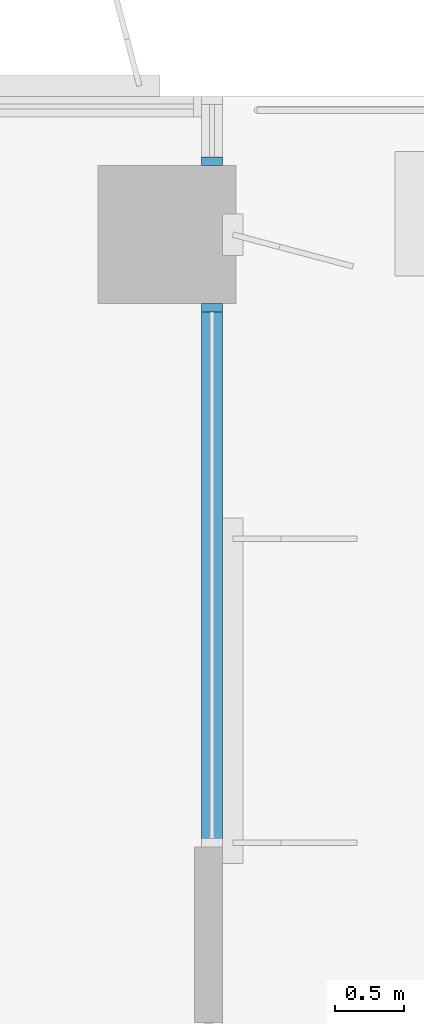
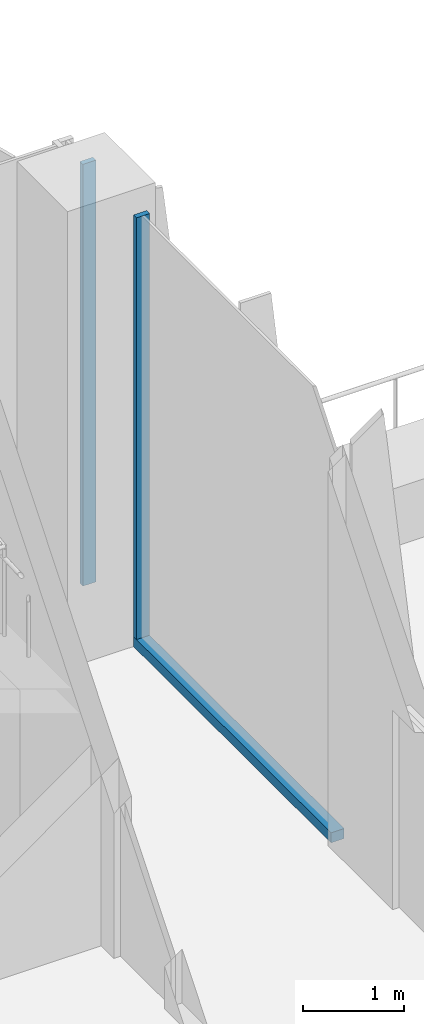
# One storey, part 6 of 24: 3 members, 2 elements without a shape of their own.
"""IFC4 building model written with IfcOpenShell, lengths in metres."""

from ifc_helpers import new_model, si_unit, direction, frame, origin, origin_2d, place, context, subcontext, project, spatial, rectangle, extrude, source, transform, mapped, material, material_profile, profile_set, type_object, element, aggregate, save


model = new_model("IFC4")

# Units and contexts
model_context = context("Model", 3, precision=1e-05, world=origin(), true_north=direction((0.0, 1.0)))
body_context = subcontext(model_context, "Body", "Model", "MODEL_VIEW")
ifc_project = project(units=[si_unit("LENGTHUNIT", "METRE"), si_unit("AREAUNIT", "SQUARE_METRE"), si_unit("VOLUMEUNIT", "CUBIC_METRE"), si_unit("PLANEANGLEUNIT", "RADIAN"), si_unit("MASSUNIT", "GRAM", prefix="KILO")], contexts=[model_context])

# Site, building, storey
site_placement = place(None, origin())
site = spatial("IfcSite", under=ifc_project, at=site_placement, CompositionType="ELEMENT")
building_placement = place(site_placement, origin())
building = spatial("IfcBuilding", under=site, at=building_placement, Name="Kemantara Hotel Tower", CompositionType="ELEMENT")
storey_placement = place(building_placement, frame((0.0, 0.0, 202.5)))
storey = spatial("IfcBuildingStorey", under=building, at=storey_placement, Name="L50", CompositionType="ELEMENT", Elevation=202.5)

# Curtain wall, member
ifc_material_1 = material(Name="Toughened tinted glass 32 mm", Category="glass")
curtain_wall_type_1 = type_object("IfcCurtainWallType", Name="TERRACE GLAZING WALL", PredefinedType="USERDEFINED", material=ifc_material_1)
curtain_wall_1_placement = place(storey_placement, origin())
curtain_wall_1 = element("IfcCurtainWall", 1, at=curtain_wall_1_placement, inside=storey, type_object=curtain_wall_type_1, Name="CW6 L50 T3S-R02-2", ObjectType="TERRACE GLAZING WALL", PredefinedType="USERDEFINED")
ifc_material_2 = material(Name="Aluminium 6063-T6 bronze anodised", Category="aluminium")
ifc_material_profile_1 = material_profile(ifc_material_2, rectangle(XDim=0.14990234375, YDim=0.1201171875, at=origin_2d()), Name="TERRACE GLAZING WALL TRANSOM")
ifc_profile_set_1 = profile_set([ifc_material_profile_1], Name="Aluminium 6063-T6 bronze anodised")
member_type_1 = type_object("IfcMemberType", Name="TERRACE GLAZING WALL TRANSOM", PredefinedType="USERDEFINED", material=ifc_profile_set_1)
member_1_placement = place(storey_placement, frame((12.52490234375, 58.199951171875, 0.06005859375), z_axis=(0.0, 1.0, 0.0), x_axis=(-1.0, 0.0, 0.0)))
member_1 = element("IfcMember", 2, at=member_1_placement, type_object=member_type_1, Name="CW6 sill transom T3S-R02-2", ObjectType="TRANSOM", PredefinedType="USERDEFINED", context=body_context, shape_type="SweptSolid", body=[
    extrude(rectangle(XDim=0.14990234375, YDim=0.1201171875, at=origin_2d()), origin(), (0.0, 0.0, 1.0), 3.900146484375),
])

ifc_material_3 = material(Name="Low-E tinted double insulated glass 36 mm", Category="glass")
curtain_wall_type_2 = type_object("IfcCurtainWallType", Name="TOWER CURTAIN WALL, FRONT FACES", PredefinedType="USERDEFINED", material=ifc_material_3)
curtain_wall_2_placement = place(storey_placement, origin())
curtain_wall_2 = element("IfcCurtainWall", 3, at=curtain_wall_2_placement, inside=storey, type_object=curtain_wall_type_2, Name="CW4 L50 T3S-R02-3", ObjectType="TOWER CURTAIN WALL, FRONT FACES", PredefinedType="USERDEFINED")
ifc_material_profile_2 = material_profile(ifc_material_2, rectangle(XDim=0.14990234375, YDim=0.06005859375, at=origin_2d()), Name="TOWER CURTAIN WALL, FRONT FACES MULLION")
ifc_profile_set_2 = profile_set([ifc_material_profile_2], Name="Aluminium 6063-T6 bronze anodised")
member_type_2 = type_object("IfcMemberType", Name="TOWER CURTAIN WALL, FRONT FACES MULLION", PredefinedType="MULLION", material=ifc_profile_set_2)
shared_shape_1 = source(origin(), body_context, "Body", "SweptSolid", [
    extrude(rectangle(XDim=0.14990234375, YDim=0.06005859375, at=origin_2d()), origin(), (0.0, 0.0, 1.0), 5.079833984375),
])
member_2_placement = place(storey_placement, frame((12.52490234375, 63.1298828125, 0.1201171875), z_axis=(0.0, 0.0, 1.0), x_axis=(-1.0, 0.0, 0.0)))
member_2 = element("IfcMember", 4, at=member_2_placement, type_object=member_type_2, Name="CW4 mullion T3S-R02-3.1", PredefinedType="MULLION", context=body_context, shape_type="MappedRepresentation", body=[
    mapped(shared_shape_1, transform((0.0, 0.0, 0.0))),
])
aggregate(curtain_wall_2, [member_2])

# Member
ifc_material_profile_3 = material_profile(ifc_material_2, rectangle(XDim=0.14990234375, YDim=0.06005859375, at=origin_2d()), Name="TERRACE GLAZING WALL MULLION")
ifc_profile_set_3 = profile_set([ifc_material_profile_3], Name="Aluminium 6063-T6 bronze anodised")
member_type_3 = type_object("IfcMemberType", Name="TERRACE GLAZING WALL MULLION", PredefinedType="MULLION", material=ifc_profile_set_3)
shared_shape_2 = source(origin(), body_context, "Body", "SweptSolid", [
    extrude(rectangle(XDim=0.14990234375, YDim=0.06005859375, at=origin_2d()), origin(), (0.0, 0.0, 1.0), 5.079833984375),
])
member_3_placement = place(storey_placement, frame((12.52490234375, 62.070068359375, 0.1201171875), z_axis=(0.0, 0.0, 1.0), x_axis=(-1.0, 0.0, 0.0)))
member_3 = element("IfcMember", 5, at=member_3_placement, type_object=member_type_3, Name="CW6 mullion T3S-R02-2.2", PredefinedType="MULLION", context=body_context, shape_type="MappedRepresentation", body=[
    mapped(shared_shape_2, transform((0.0, 0.0, 0.0))),
])

aggregate(curtain_wall_1, [member_1, member_3])

save(model, "model.ifc")
